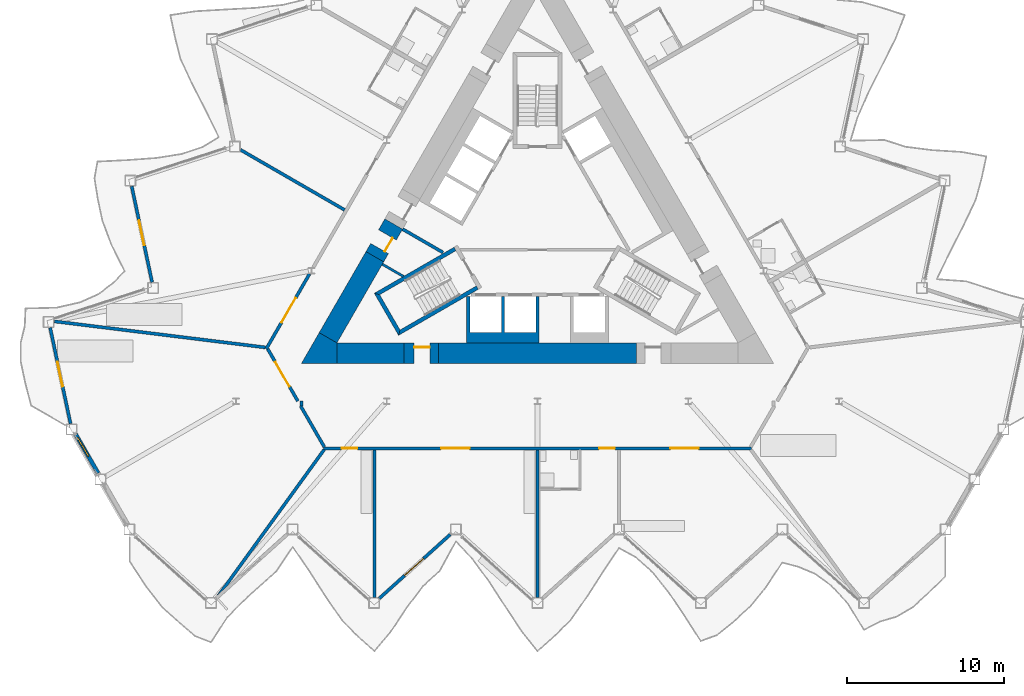
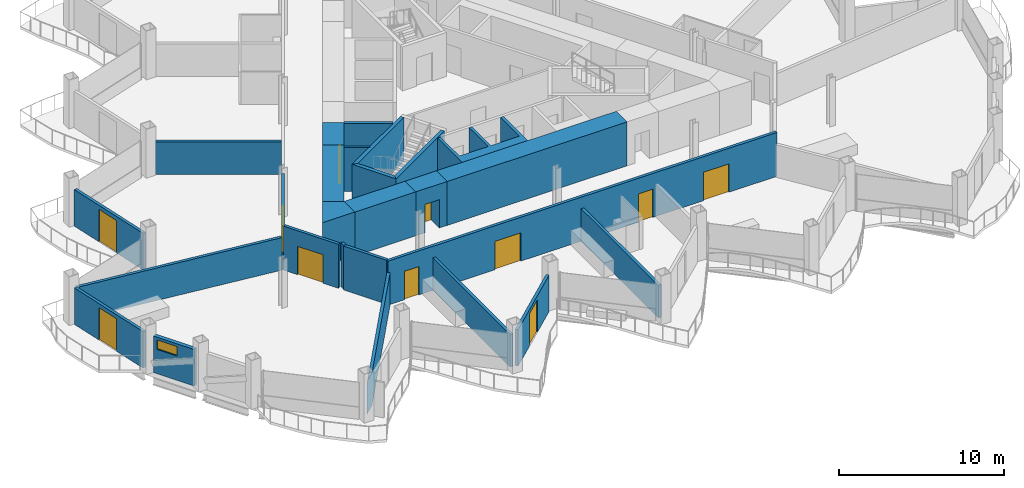
# One storey, part 11 of 24: 26 walls, 11 doors, 1 window, 12 openings.
"""IFC4 building model written with IfcOpenShell, lengths in metres."""

from ifc_helpers import new_model, si_unit, direction, frame, frame_2d, origin, place, context, subcontext, project, spatial, polyline, rectangle, outline, extrude, material, layer, layer_set, type_object, element, fill, save


model = new_model("IFC4")

# Units and contexts
model_context = context("Model", 3, precision=1e-05, world=origin(), true_north=direction((0.0, 1.0)))
body_context = subcontext(model_context, "Body", "Model", "MODEL_VIEW")
ifc_project = project(units=[si_unit("LENGTHUNIT", "METRE"), si_unit("AREAUNIT", "SQUARE_METRE"), si_unit("VOLUMEUNIT", "CUBIC_METRE"), si_unit("PLANEANGLEUNIT", "RADIAN"), si_unit("MASSUNIT", "GRAM", prefix="KILO")], contexts=[model_context])

# Site, building, storey
site_placement = place(None, origin())
site = spatial("IfcSite", under=ifc_project, at=site_placement, CompositionType="ELEMENT")
building_placement = place(site_placement, origin())
building = spatial("IfcBuilding", under=site, at=building_placement, Name="Cormorant Prow Tower", CompositionType="ELEMENT")
storey_placement = place(building_placement, frame((0.0, 0.0, 274.199951171875)))
storey = spatial("IfcBuildingStorey", under=building, at=storey_placement, Name="L62", CompositionType="ELEMENT", Elevation=274.199951171875)

# Walls
ifc_material_1 = material(Name="Gypsum board partition")
ifc_layer_1 = layer(ifc_material_1, 0.14990234375)
ifc_layer_set_1 = layer_set([ifc_layer_1], Name="Gypsum board partition")
wall_type_1 = type_object("IfcWallType", Name="Core partition 150", PredefinedType="PARTITIONING", material=ifc_layer_set_1)
wall_1_placement = place(storey_placement, frame((-9.862060546875, -2.361083984375, 0.0), z_axis=(0.0, 0.0, 1.0), x_axis=(0.865990094875, -0.500061151839, 0.0)))
element("IfcWall", 1, at=wall_1_placement, inside=storey, type_object=wall_type_1, Name="Service room partition", PredefinedType="PARTITIONING", context=body_context, shape_type="SweptSolid", body=[
    extrude(rectangle(XDim=1.559814453125, YDim=0.14990234375, at=frame_2d((0.77978515625, 0.0))), origin(), (0.0, 0.0, 1.0), 3.25),
])
ifc_material_2 = material(Name="Concrete 8000 psi", Category="concrete")
ifc_layer_2 = layer(ifc_material_2, 1.300048828125)
ifc_layer_set_2 = layer_set([ifc_layer_2], Name="Concrete 8000 psi")
wall_type_2 = type_object("IfcWallType", Name="Core shear wall 1300", PredefinedType="SHEAR", material=ifc_layer_set_2)
wall_2_placement = place(storey_placement, frame((-6.2880859375, -8.01025390625, 0.0), z_axis=(0.0, 0.0, 1.0), x_axis=(1.0, 0.0, 0.0)))
element("IfcWall", 2, at=wall_2_placement, inside=storey, type_object=wall_type_2, Name="Core wall", PredefinedType="SHEAR", context=body_context, shape_type="SweptSolid", body=[
    extrude(rectangle(XDim=12.576171875, YDim=1.300048828125, at=frame_2d((6.2880859375, 0.0))), origin(), (0.0, 0.0, 1.0), 3.25),
])
wall_3_placement = place(storey_placement, frame((-12.748291015625, -8.01025390625, 0.0), z_axis=(0.0, 0.0, 1.0), x_axis=(1.0, 0.0, 0.0)))
element("IfcWall", 3, at=wall_3_placement, inside=storey, type_object=wall_type_2, Name="Core wall", PredefinedType="SHEAR", context=body_context, shape_type="SweptSolid", body=[
    extrude(rectangle(XDim=4.260009765625, YDim=1.300048828125, at=frame_2d((2.1298828125, 0.0))), origin(), (0.0, 0.0, 1.0), 3.25),
])
wall_4_placement = place(storey_placement, frame((-10.337890625, -1.885009765625, 0.0), z_axis=(0.0, 0.0, 1.0), x_axis=(-0.499975944838, -0.866039291593, 0.0)))
element("IfcWall", 4, at=wall_4_placement, inside=storey, type_object=wall_type_2, Name="Core wall", PredefinedType="SHEAR", context=body_context, shape_type="SweptSolid", body=[
    extrude(rectangle(XDim=5.947021484375, YDim=1.300048828125, at=frame_2d((2.9736328125, 0.0))), origin(), (0.0, 0.0, 1.0), 3.25),
])
wall_5_placement = place(storey_placement, origin())
element("IfcWall", 5, at=wall_5_placement, inside=storey, type_object=wall_type_2, Name="Core wall corner", PredefinedType="SHEAR", context=body_context, shape_type="SweptSolid", body=[
    extrude(outline(polyline([(-13.874267578125, -6.710205078125), (-12.748291015625, -7.3603515625), (-12.748291015625, -8.660400390625), (-15.0, -8.660400390625), (-13.874267578125, -6.710205078125)])), origin(), (0.0, 0.0, 1.0), 3.25),
])

# Wall, opening, door
wall_6_placement = place(storey_placement, frame((-8.48828125, -8.01025390625, 0.0), z_axis=(0.0, 0.0, 1.0), x_axis=(1.0, 0.0, 0.0)))
wall_6 = element("IfcWall", 6, at=wall_6_placement, inside=storey, type_object=wall_type_2, Name="Core wall door panel", PredefinedType="SHEAR", context=body_context, shape_type="SweptSolid", body=[
    extrude(rectangle(XDim=2.2001953125, YDim=1.300048828125, at=frame_2d((1.10009765625, 0.0))), origin(), (0.0, 0.0, 1.0), 3.25),
])
opening_1_placement = place(wall_6_placement, frame((0.64990234375, 0.0, 0.0)))
opening_1 = element("IfcOpeningElement", 7, at=opening_1_placement, cuts=wall_6, Name="Opening L62-C14", PredefinedType="OPENING", context=body_context, shape_type="SweptSolid", body=[
    extrude(rectangle(XDim=1.0, YDim=2.10009765625, at=frame_2d((0.5, 1.050048828125))), frame((0.0, 0.659912109375, 0.0), z_axis=(0.0, -1.0, 0.0), x_axis=(1.0, 0.0, 0.0)), (0.0, 0.0, 1.0), 1.320068359375),
])
ifc_material_3 = material(Name="Painted steel", Category="steel")
door_type_1 = type_object("IfcDoorType", Name="Service door 1000x2100", OperationType="NOTDEFINED", PredefinedType="DOOR", material=ifc_material_3)
door_1_placement = place(opening_1_placement, origin())
door_1 = element("IfcDoor", 8, at=door_1_placement, inside=storey, type_object=door_type_1, Name="Core door, Pantry store", OperationType="SINGLE_SWING_LEFT", OverallHeight=2.10009765625, OverallWidth=1.0, PredefinedType="DOOR", context=body_context, shape_type="SweptSolid", body=[
    extrude(rectangle(XDim=1.0, YDim=2.10009765625, at=frame_2d((0.5, 1.050048828125))), frame((0.0, 0.40478515625, 0.0), z_axis=(0.0, -1.0, 0.0), x_axis=(1.0, 0.0, 0.0)), (0.0, 0.0, 1.0), 0.050048828125),
])
fill(opening_1, door_1)

wall_7_placement = place(storey_placement, frame((-9.13720703125, 0.194580078125, 0.0), z_axis=(0.0, 0.0, 1.0), x_axis=(-0.500009943768, -0.866019662671, 0.0)))
wall_7 = element("IfcWall", 9, at=wall_7_placement, inside=storey, type_object=wall_type_2, Name="Core wall door panel", PredefinedType="SHEAR", context=body_context, shape_type="SweptSolid", body=[
    extrude(rectangle(XDim=2.4013671875, YDim=1.300048828125, at=frame_2d((1.20068359375, 0.0))), origin(), (0.0, 0.0, 1.0), 3.25),
])
opening_2_placement = place(wall_7_placement, frame((0.800048828125, 0.0, 0.0)))
opening_2 = element("IfcOpeningElement", 10, at=opening_2_placement, cuts=wall_7, Name="Opening L62-C16", PredefinedType="OPENING", context=body_context, shape_type="SweptSolid", body=[
    extrude(rectangle(XDim=1.0, YDim=2.10009765625, at=frame_2d((0.5, 1.050048828125))), frame((0.0, 0.659912109375, 0.0), z_axis=(0.0, -1.0, 0.0), x_axis=(1.0, 0.0, 0.0)), (0.0, 0.0, 1.0), 1.320068359375),
])
door_2_placement = place(opening_2_placement, origin())
door_2 = element("IfcDoor", 11, at=door_2_placement, inside=storey, type_object=door_type_1, Name="Core door, Mechanical riser room", OperationType="SINGLE_SWING_LEFT", OverallHeight=2.10009765625, OverallWidth=1.0, PredefinedType="DOOR", context=body_context, shape_type="SweptSolid", body=[
    extrude(rectangle(XDim=1.0, YDim=2.10009765625, at=frame_2d((0.5, 1.050048828125))), frame((0.0, 0.40478515625, 0.0), z_axis=(0.0, -1.0, 0.0), x_axis=(1.0, 0.0, 0.0)), (0.0, 0.0, 1.0), 0.050048828125),
])
fill(opening_2, door_2)

# Wall, openings, doors
ifc_material_4 = material(Name="Gypsum board corridor wall")
ifc_layer_3 = layer(ifc_material_4, 0.199951171875)
ifc_layer_set_3 = layer_set([ifc_layer_3], Name="Gypsum board corridor wall")
wall_type_3 = type_object("IfcWallType", Name="Corridor wall 200", PredefinedType="PARTITIONING", material=ifc_layer_set_3)
wall_8_placement = place(storey_placement, frame((-13.598876953125, -14.060302734375, 0.0), z_axis=(0.0, 0.0, 1.0), x_axis=(1.0, 0.0, 0.0)))
wall_8 = element("IfcWall", 12, at=wall_8_placement, inside=storey, type_object=wall_type_3, Name="Corridor wall", PredefinedType="PARTITIONING", context=body_context, shape_type="SweptSolid", body=[
    extrude(rectangle(XDim=27.19775390625, YDim=0.199951171875, at=frame_2d((13.598876953125, 0.0))), origin(), (0.0, 0.0, 1.0), 3.25),
])
opening_3_placement = place(wall_8_placement, frame((1.1533203125, 0.0, 0.0)))
opening_3 = element("IfcOpeningElement", 13, at=opening_3_placement, cuts=wall_8, Name="Opening L62-F01", PredefinedType="OPENING", context=body_context, shape_type="SweptSolid", body=[
    extrude(rectangle(XDim=1.0, YDim=2.10009765625, at=frame_2d((0.5, 1.050048828125))), frame((0.0, 0.10986328125, 0.0), z_axis=(0.0, -1.0, 0.0), x_axis=(1.0, 0.0, 0.0)), (0.0, 0.0, 1.0), 0.219970703125),
])
opening_4_placement = place(wall_8_placement, frame((7.478271484375, 0.0, 0.0)))
opening_4 = element("IfcOpeningElement", 14, at=opening_4_placement, cuts=wall_8, Name="Opening L62-F02", PredefinedType="OPENING", context=body_context, shape_type="SweptSolid", body=[
    extrude(rectangle(XDim=1.800048828125, YDim=2.10009765625, at=frame_2d((0.89990234375, 1.050048828125))), frame((0.0, 0.10986328125, 0.0), z_axis=(0.0, -1.0, 0.0), x_axis=(1.0, 0.0, 0.0)), (0.0, 0.0, 1.0), 0.219970703125),
])
opening_5_placement = place(wall_8_placement, frame((17.515625, 0.0, 0.0)))
opening_5 = element("IfcOpeningElement", 15, at=opening_5_placement, cuts=wall_8, Name="Opening L62-F03", PredefinedType="OPENING", context=body_context, shape_type="SweptSolid", body=[
    extrude(rectangle(XDim=1.0, YDim=2.10009765625, at=frame_2d((0.5, 1.050048828125))), frame((0.0, 0.10986328125, 0.0), z_axis=(0.0, -1.0, 0.0), x_axis=(1.0, 0.0, 0.0)), (0.0, 0.0, 1.0), 0.219970703125),
])
opening_6_placement = place(wall_8_placement, frame((22.03564453125, 0.0, 0.0)))
opening_6 = element("IfcOpeningElement", 16, at=opening_6_placement, cuts=wall_8, Name="Opening L62-F05", PredefinedType="OPENING", context=body_context, shape_type="SweptSolid", body=[
    extrude(rectangle(XDim=1.800048828125, YDim=2.10009765625, at=frame_2d((0.89990234375, 1.050048828125))), frame((0.0, 0.10986328125, 0.0), z_axis=(0.0, -1.0, 0.0), x_axis=(1.0, 0.0, 0.0)), (0.0, 0.0, 1.0), 0.219970703125),
])
ifc_material_5 = material(Name="Timber door leaf", Category="wood")
door_type_2 = type_object("IfcDoorType", Name="Double door 1800x2100", OperationType="DOUBLE_DOOR_SINGLE_SWING", PredefinedType="DOOR", material=ifc_material_5)
door_3_placement = place(opening_4_placement, origin())
door_3 = element("IfcDoor", 17, at=door_3_placement, inside=storey, type_object=door_type_2, Name="Conference room door", OperationType="DOUBLE_DOOR_SINGLE_SWING", OverallHeight=2.10009765625, OverallWidth=1.800048828125, PredefinedType="DOOR", context=body_context, shape_type="SweptSolid", body=[
    extrude(rectangle(XDim=1.800048828125, YDim=2.10009765625, at=frame_2d((0.89990234375, 1.050048828125))), frame((0.0, 0.02490234375, 0.0), z_axis=(0.0, -1.0, 0.0), x_axis=(1.0, 0.0, 0.0)), (0.0, 0.0, 1.0), 0.050048828125),
])
fill(opening_4, door_3)
door_4_placement = place(opening_6_placement, origin())
door_4 = element("IfcDoor", 18, at=door_4_placement, inside=storey, type_object=door_type_2, Name="Board room door", OperationType="DOUBLE_DOOR_SINGLE_SWING", OverallHeight=2.10009765625, OverallWidth=1.800048828125, PredefinedType="DOOR", context=body_context, shape_type="SweptSolid", body=[
    extrude(rectangle(XDim=1.800048828125, YDim=2.10009765625, at=frame_2d((0.89990234375, 1.050048828125))), frame((0.0, 0.02490234375, 0.0), z_axis=(0.0, -1.0, 0.0), x_axis=(1.0, 0.0, 0.0)), (0.0, 0.0, 1.0), 0.050048828125),
])
fill(opening_6, door_4)
ifc_material_6 = material(Name="Timber door leaf", Category="wood")
door_type_3 = type_object("IfcDoorType", Name="Flat or room entrance door 1000x2100", OperationType="NOTDEFINED", PredefinedType="DOOR", material=ifc_material_6)
door_5_placement = place(opening_3_placement, origin())
door_5 = element("IfcDoor", 19, at=door_5_placement, inside=storey, type_object=door_type_3, Name="Meeting room door", OperationType="SINGLE_SWING_RIGHT", OverallHeight=2.10009765625, OverallWidth=1.0, PredefinedType="DOOR", context=body_context, shape_type="SweptSolid", body=[
    extrude(rectangle(XDim=1.0, YDim=2.10009765625, at=frame_2d((0.5, 1.050048828125))), frame((0.0, 0.02490234375, 0.0), z_axis=(0.0, -1.0, 0.0), x_axis=(1.0, 0.0, 0.0)), (0.0, 0.0, 1.0), 0.050048828125),
])
fill(opening_3, door_5)
door_6_placement = place(opening_5_placement, origin())
door_6 = element("IfcDoor", 20, at=door_6_placement, inside=storey, type_object=door_type_3, Name="Guest room door", OperationType="SINGLE_SWING_RIGHT", OverallHeight=2.10009765625, OverallWidth=1.0, PredefinedType="DOOR", context=body_context, shape_type="SweptSolid", body=[
    extrude(rectangle(XDim=1.0, YDim=2.10009765625, at=frame_2d((0.5, 1.050048828125))), frame((0.0, 0.02490234375, 0.0), z_axis=(0.0, -1.0, 0.0), x_axis=(1.0, 0.0, 0.0)), (0.0, 0.0, 1.0), 0.050048828125),
])
fill(opening_5, door_6)

# Wall, opening, door
wall_9_placement = place(storey_placement, frame((-17.243896484375, -7.746826171875, 0.0), z_axis=(0.0, 0.0, 1.0), x_axis=(0.500017753321, 0.866015153657, 0.0)))
wall_9 = element("IfcWall", 21, at=wall_9_placement, inside=storey, type_object=wall_type_3, Name="Corridor wall", PredefinedType="PARTITIONING", context=body_context, shape_type="SweptSolid", body=[
    extrude(rectangle(XDim=5.510498046875, YDim=0.199951171875, at=frame_2d((2.75537109375, 0.0))), origin(), (0.0, 0.0, 1.0), 3.25),
])
opening_7_placement = place(wall_9_placement, frame((1.95556640625, 0.0, 0.0)))
opening_7 = element("IfcOpeningElement", 22, at=opening_7_placement, cuts=wall_9, Name="Opening L62-F19", PredefinedType="OPENING", context=body_context, shape_type="SweptSolid", body=[
    extrude(rectangle(XDim=1.800048828125, YDim=2.10009765625, at=frame_2d((0.89990234375, 1.050048828125))), frame((0.0, 0.10986328125, 0.0), z_axis=(0.0, -1.0, 0.0), x_axis=(1.0, 0.0, 0.0)), (0.0, 0.0, 1.0), 0.219970703125),
])
door_7_placement = place(opening_7_placement, origin())
door_7 = element("IfcDoor", 23, at=door_7_placement, inside=storey, type_object=door_type_2, Name="Library door", OperationType="DOUBLE_DOOR_SINGLE_SWING", OverallHeight=2.10009765625, OverallWidth=1.800048828125, PredefinedType="DOOR", context=body_context, shape_type="SweptSolid", body=[
    extrude(rectangle(XDim=1.800048828125, YDim=2.10009765625, at=frame_2d((0.89990234375, 1.050048828125))), frame((0.0, 0.02490234375, 0.0), z_axis=(0.0, -1.0, 0.0), x_axis=(1.0, 0.0, 0.0)), (0.0, 0.0, 1.0), 0.050048828125),
])
fill(opening_7, door_7)

wall_10_placement = place(storey_placement, frame((-17.143798828125, -7.746826171875, 0.0), z_axis=(0.0, 0.0, 1.0), x_axis=(0.499961815444, -0.866047448526, 0.0)))
wall_10 = element("IfcWall", 24, at=wall_10_placement, inside=storey, type_object=wall_type_3, Name="Corridor wall", PredefinedType="PARTITIONING", context=body_context, shape_type="SweptSolid", body=[
    extrude(rectangle(XDim=3.825927734375, YDim=0.199951171875, at=frame_2d((1.9130859375, 0.0))), origin(), (0.0, 0.0, 1.0), 3.25),
])
opening_8_placement = place(wall_10_placement, frame((0.962158203125, 0.0, 0.0)))
opening_8 = element("IfcOpeningElement", 25, at=opening_8_placement, cuts=wall_10, Name="Opening L62-F20", PredefinedType="OPENING", context=body_context, shape_type="SweptSolid", body=[
    extrude(rectangle(XDim=1.800048828125, YDim=2.10009765625, at=frame_2d((0.89990234375, 1.050048828125))), frame((0.0, 0.10986328125, 0.0), z_axis=(0.0, -1.0, 0.0), x_axis=(1.0, 0.0, 0.0)), (0.0, 0.0, 1.0), 0.219970703125),
])
door_8_placement = place(opening_8_placement, origin())
door_8 = element("IfcDoor", 26, at=door_8_placement, inside=storey, type_object=door_type_2, Name="Co-working space door", OperationType="DOUBLE_DOOR_SINGLE_SWING", OverallHeight=2.10009765625, OverallWidth=1.800048828125, PredefinedType="DOOR", context=body_context, shape_type="SweptSolid", body=[
    extrude(rectangle(XDim=1.800048828125, YDim=2.10009765625, at=frame_2d((0.89990234375, 1.050048828125))), frame((0.0, 0.02490234375, 0.0), z_axis=(0.0, -1.0, 0.0), x_axis=(1.0, 0.0, 0.0)), (0.0, 0.0, 1.0), 0.050048828125),
])
fill(opening_8, door_8)

# Walls
wall_11_placement = place(storey_placement, frame((-15.050048828125, -11.373779296875, 0.0), z_axis=(0.0, 0.0, 1.0), x_axis=(0.500048608389, -0.865997337899, 0.0)))
element("IfcWall", 27, at=wall_11_placement, inside=storey, type_object=wall_type_3, Name="Corridor wall", PredefinedType="PARTITIONING", context=body_context, shape_type="SweptSolid", body=[
    extrude(rectangle(XDim=3.002197265625, YDim=0.199951171875, at=frame_2d((1.5009765625, 0.0))), origin(), (0.0, 0.0, 1.0), 3.25),
])
wall_12_placement = place(storey_placement, frame((-15.0, -11.3603515625, 0.0), z_axis=(0.0, 0.0, 1.0), x_axis=(0.0, 1.0, 0.0)))
element("IfcWall", 28, at=wall_12_placement, inside=storey, type_object=wall_type_3, Name="Corridor wall", PredefinedType="PARTITIONING", context=body_context, shape_type="SweptSolid", body=[
    extrude(rectangle(XDim=0.31005859375, YDim=0.199951171875, at=frame_2d((0.155029296875, 0.0))), origin(), (0.0, 0.0, 1.0), 3.25),
])
ifc_material_7 = material(Name="Gypsum board demising wall")
ifc_layer_4 = layer(ifc_material_7, 0.199951171875)
ifc_layer_set_4 = layer_set([ifc_layer_4], Name="Gypsum board demising wall")
wall_type_4 = type_object("IfcWallType", Name="Demising wall 200", PredefinedType="PARTITIONING", material=ifc_layer_set_4)
wall_13_placement = place(storey_placement, frame((-30.703125, -5.9921875, 0.0), z_axis=(0.0, 0.0, 1.0), x_axis=(0.992463280008, -0.122542391993, 0.0)))
element("IfcWall", 29, at=wall_13_placement, inside=storey, type_object=wall_type_4, Name="Demising wall", PredefinedType="PARTITIONING", context=body_context, shape_type="SweptSolid", body=[
    extrude(rectangle(XDim=13.51171875, YDim=0.199951171875, at=frame_2d((6.755859375, 0.0))), origin(), (0.0, 0.0, 1.0), 2.404296875),
])
wall_14_placement = place(storey_placement, origin())
element("IfcWall", 30, at=wall_14_placement, inside=storey, type_object=wall_type_4, Name="Demising wall", PredefinedType="PARTITIONING", context=body_context, shape_type="SweptSolid", body=[
    extrude(outline(polyline([(-13.476318359375, -14.199951171875), (-19.722900390625, -22.82958984375), (-20.431884765625, -23.468017578125), (-13.638427734375, -14.08251953125), (-13.476318359375, -14.199951171875)])), origin(), (0.0, 0.0, 1.0), 2.404296875),
])
for number, where, z_axis, x_axis, name in (
    (31, (-10.370361328125, -23.52685546875, 0.0), (0.0, 0.0, 1.0), (0.0, 1.0, 0.0), "Demising wall"),
    (32, (0.0, -23.52685546875, 0.0), (0.0, 0.0, 1.0), (0.0, 1.0, 0.0), "Demising wall"),
):
    element("IfcWall", number, at=place(storey_placement, frame(where, z_axis=z_axis, x_axis=x_axis)), inside=storey, type_object=wall_type_4, Name=name, PredefinedType="PARTITIONING", context=body_context, shape_type="SweptSolid", body=[
        extrude(rectangle(XDim=9.366455078125, YDim=0.199951171875, at=frame_2d((4.68310546875, 0.0))), origin(), (0.0, 0.0, 1.0), 2.404296875),
    ])
wall_15_placement = place(storey_placement, frame((-18.875, 4.91015625, 0.0), z_axis=(0.0, 0.0, 1.0), x_axis=(0.866018509426, -0.50001194119, 0.0)))
element("IfcWall", 33, at=wall_15_placement, inside=storey, type_object=wall_type_4, Name="Demising wall", PredefinedType="PARTITIONING", context=body_context, shape_type="SweptSolid", body=[
    extrude(rectangle(XDim=7.640869140625, YDim=0.199951171875, at=frame_2d((3.8203125, 0.0))), origin(), (0.0, 0.0, 1.0), 2.404296875),
])
ifc_material_8 = material(Name="Concrete 8000 psi", Category="concrete")
ifc_layer_5 = layer(ifc_material_8, 0.199951171875)
ifc_layer_set_5 = layer_set([ifc_layer_5], Name="Concrete 8000 psi")
wall_type_5 = type_object("IfcWallType", Name="Lift shaft wall 200", PredefinedType="SHEAR", material=ifc_layer_set_5)
wall_16_placement = place(storey_placement, origin())
element("IfcWall", 34, at=wall_16_placement, inside=storey, type_object=wall_type_5, Name="Lift shaft walls, S block", PredefinedType="SHEAR", context=body_context, shape_type="SweptSolid", body=[
    extrude(outline(polyline([(0.10009765625, -7.3603515625), (-4.5, -7.3603515625), (-4.5, -4.39990234375), (-4.300048828125, -4.39990234375), (-4.300048828125, -6.699951171875), (-2.300048828125, -6.699951171875), (-2.300048828125, -4.39990234375), (-2.10009765625, -4.39990234375), (-2.10009765625, -6.699951171875), (-0.10009765625, -6.699951171875), (-0.10009765625, -4.39990234375), (0.10009765625, -4.39990234375), (0.10009765625, -7.3603515625)])), origin(), (0.0, 0.0, 1.0), 3.25),
])
wall_17_placement = place(storey_placement, origin())
element("IfcWall", 35, at=wall_17_placement, inside=storey, type_object=wall_type_5, Name="Lift shaft walls, WNW block", PredefinedType="SHEAR", context=body_context, shape_type="SweptSolid", body=[
    extrude(outline(polyline([(-8.524169921875, -0.043701171875), (-8.130859375, -0.27099609375), (-5.96044921875, -1.52392578125), (-6.060546875, -1.697021484375), (-8.230712890625, -0.444091796875), (-8.624267578125, -0.217041015625), (-8.524169921875, -0.043701171875)])), origin(), (0.0, 0.0, 1.0), 3.25),
])
ifc_material_9 = material(Name="Concrete 8000 psi", Category="concrete")
ifc_layer_6 = layer(ifc_material_9, 0.25)
ifc_layer_set_6 = layer_set([ifc_layer_6], Name="Concrete 8000 psi")
wall_type_6 = type_object("IfcWallType", Name="Stair wall 250", PredefinedType="SHEAR", material=ifc_layer_set_6)
wall_18_placement = place(storey_placement, origin())
element("IfcWall", 36, at=wall_18_placement, inside=storey, type_object=wall_type_6, Name="Stair ST1 enclosure wall (flank)", PredefinedType="SHEAR", context=body_context, shape_type="SweptSolid", body=[
    extrude(outline(polyline([(-5.30712890625, -1.28125), (-10.37353515625, -4.206298828125), (-10.031982421875, -4.2978515625), (-5.18212890625, -1.497802734375), (-5.30712890625, -1.28125)])), origin(), (0.0, 0.0, 1.0), 3.25),
])
wall_19_placement = place(storey_placement, origin())
element("IfcWall", 37, at=wall_19_placement, inside=storey, type_object=wall_type_6, Name="Stair ST1 enclosure wall (end)", PredefinedType="SHEAR", context=body_context, shape_type="SweptSolid", body=[
    extrude(outline(polyline([(-10.37353515625, -4.206298828125), (-8.82958984375, -6.880615234375), (-8.738037109375, -6.5390625), (-10.031982421875, -4.2978515625), (-10.37353515625, -4.206298828125)])), origin(), (0.0, 0.0, 1.0), 3.25),
])
wall_20_placement = place(storey_placement, origin())
element("IfcWall", 38, at=wall_20_placement, inside=storey, type_object=wall_type_6, Name="Stair ST1 enclosure wall (flank)", PredefinedType="SHEAR", context=body_context, shape_type="SweptSolid", body=[
    extrude(outline(polyline([(-8.738037109375, -6.5390625), (-8.82958984375, -6.880615234375), (-3.76318359375, -3.95556640625), (-3.88818359375, -3.739013671875), (-8.738037109375, -6.5390625)])), origin(), (0.0, 0.0, 1.0), 3.25),
])

# Wall, opening, window
ifc_material_10 = material(Name="Terracotta", Category="masonry")
ifc_layer_7 = layer(ifc_material_10, 0.25)
ifc_layer_set_7 = layer_set([ifc_layer_7], Name="Terracotta")
wall_type_7 = type_object("IfcWallType", Name="Terracotta bay wall 250", PredefinedType="SOLIDWALL", material=ifc_layer_set_7)
wall_21_placement = place(storey_placement, frame((-29.35888671875, -13.150634765625, 0.0), z_axis=(0.0, 0.0, 1.0), x_axis=(0.499989935246, -0.866031214595, 0.0)))
wall_21 = element("IfcWall", 39, at=wall_21_placement, inside=storey, type_object=wall_type_7, Name="Terracotta bay wall WSW00", PredefinedType="SOLIDWALL", context=body_context, shape_type="SweptSolid", body=[
    extrude(rectangle(XDim=2.87060546875, YDim=0.25, at=frame_2d((1.435302734375, 0.0))), origin(), (0.0, 0.0, 1.0), 2.700927734375),
])
opening_9_placement = place(wall_21_placement, frame((0.25, 0.0, 1.800048828125)))
opening_9 = element("IfcOpeningElement", 40, at=opening_9_placement, cuts=wall_21, Name="Opening WN4", PredefinedType="OPENING", context=body_context, shape_type="SweptSolid", body=[
    extrude(rectangle(XDim=1.39990234375, YDim=0.699951171875, at=frame_2d((0.699951171875, 0.35009765625))), frame((0.0, 0.135009765625, 0.0), z_axis=(0.0, -1.0, 0.0), x_axis=(1.0, 0.0, 0.0)), (0.0, 0.0, 1.0), 0.27001953125),
])
ifc_material_11 = material(Name="Aluminium 6063-T6", Category="aluminium")
window_type = type_object("IfcWindowType", Name="Corner bay window 1400x700", PartitioningType="SINGLE_PANEL", PredefinedType="WINDOW", material=ifc_material_11)
window_placement = place(opening_9_placement, origin())
window = element("IfcWindow", 41, at=window_placement, inside=storey, type_object=window_type, Name="Corner bay window WSW00", OverallHeight=0.699951171875, OverallWidth=1.39990234375, PartitioningType="SINGLE_PANEL", PredefinedType="WINDOW", context=body_context, shape_type="SweptSolid", body=[
    extrude(rectangle(XDim=1.39990234375, YDim=0.699951171875, at=frame_2d((0.699951171875, 0.35009765625))), frame((0.0, 0.030029296875, 0.0), z_axis=(0.0, -1.0, 0.0), x_axis=(1.0, 0.0, 0.0)), (0.0, 0.0, 1.0), 0.06005859375),
])
fill(opening_9, window)

# Wall, opening, door
ifc_material_12 = material(Name="Terracotta", Category="masonry")
ifc_layer_8 = layer(ifc_material_12, 0.199951171875)
ifc_layer_set_8 = layer_set([ifc_layer_8], Name="Terracotta")
wall_type_8 = type_object("IfcWallType", Name="Terracotta jamb wall 200", PredefinedType="SOLIDWALL", material=ifc_layer_set_8)
wall_22_placement = place(storey_placement, frame((-10.06494140625, -23.605712890625, 0.0), z_axis=(0.0, 0.0, 1.0), x_axis=(0.743144443869, 0.669131030178, 0.0)))
wall_22 = element("IfcWall", 42, at=wall_22_placement, inside=storey, type_object=wall_type_8, Name="Terracotta jamb wall S03", PredefinedType="SOLIDWALL", context=body_context, shape_type="SweptSolid", body=[
    extrude(rectangle(XDim=6.08251953125, YDim=0.199951171875, at=frame_2d((3.041259765625, 0.0))), origin(), (0.0, 0.0, 1.0), 2.700927734375),
])
opening_10_placement = place(wall_22_placement, frame((2.187744140625, 0.0, 0.0)))
opening_10 = element("IfcOpeningElement", 43, at=opening_10_placement, cuts=wall_22, Name="Opening ED62.02", PredefinedType="OPENING", context=body_context, shape_type="SweptSolid", body=[
    extrude(rectangle(XDim=1.60009765625, YDim=2.39990234375, at=frame_2d((0.800048828125, 1.199951171875))), frame((0.0, 0.10986328125, 0.0), z_axis=(0.0, -1.0, 0.0), x_axis=(1.0, 0.0, 0.0)), (0.0, 0.0, 1.0), 0.219970703125),
])
ifc_material_13 = material(Name="Aluminium 6063-T6", Category="aluminium")
door_type_4 = type_object("IfcDoorType", Name="Balcony door 1600x2400", OperationType="DOUBLE_DOOR_SINGLE_SWING", PredefinedType="DOOR", material=ifc_material_13)
door_9_placement = place(opening_10_placement, origin())
door_9 = element("IfcDoor", 44, at=door_9_placement, inside=storey, type_object=door_type_4, Name="Balcony door S03 ED62.02", OperationType="DOUBLE_DOOR_SINGLE_SWING", OverallHeight=2.39990234375, OverallWidth=1.60009765625, PredefinedType="DOOR", context=body_context, shape_type="SweptSolid", body=[
    extrude(rectangle(XDim=1.60009765625, YDim=2.39990234375, at=frame_2d((0.800048828125, 1.199951171875))), frame((0.0, 0.02490234375, 0.0), z_axis=(0.0, -1.0, 0.0), x_axis=(1.0, 0.0, 0.0)), (0.0, 0.0, 1.0), 0.050048828125),
])
fill(opening_10, door_9)

wall_23_placement = place(storey_placement, frame((-25.7880859375, 2.590576171875, 0.0), z_axis=(0.0, 0.0, 1.0), x_axis=(0.207907484076, -0.978148494895, 0.0)))
wall_23 = element("IfcWall", 45, at=wall_23_placement, inside=storey, type_object=wall_type_8, Name="Terracotta jamb wall WNW07", PredefinedType="SOLIDWALL", context=body_context, shape_type="SweptSolid", body=[
    extrude(rectangle(XDim=6.23193359375, YDim=0.199951171875, at=frame_2d((3.115966796875, 0.0))), origin(), (0.0, 0.0, 1.0), 2.700927734375),
])
opening_11_placement = place(wall_23_placement, frame((2.2216796875, 0.0, 0.0)))
opening_11 = element("IfcOpeningElement", 46, at=opening_11_placement, cuts=wall_23, Name="Opening ED62.14", PredefinedType="OPENING", context=body_context, shape_type="SweptSolid", body=[
    extrude(rectangle(XDim=1.60009765625, YDim=2.39990234375, at=frame_2d((0.800048828125, 1.199951171875))), frame((0.0, 0.10986328125, 0.0), z_axis=(0.0, -1.0, 0.0), x_axis=(1.0, 0.0, 0.0)), (0.0, 0.0, 1.0), 0.219970703125),
])
door_10_placement = place(opening_11_placement, origin())
door_10 = element("IfcDoor", 47, at=door_10_placement, inside=storey, type_object=door_type_4, Name="Balcony door WNW07 ED62.14", OperationType="DOUBLE_DOOR_SINGLE_SWING", OverallHeight=2.39990234375, OverallWidth=1.60009765625, PredefinedType="DOOR", context=body_context, shape_type="SweptSolid", body=[
    extrude(rectangle(XDim=1.60009765625, YDim=2.39990234375, at=frame_2d((0.800048828125, 1.199951171875))), frame((0.0, 0.02490234375, 0.0), z_axis=(0.0, -1.0, 0.0), x_axis=(1.0, 0.0, 0.0)), (0.0, 0.0, 1.0), 0.050048828125),
])
fill(opening_11, door_10)

wall_24_placement = place(storey_placement, frame((-30.97216796875, -6.395751953125, 0.0), z_axis=(0.0, 0.0, 1.0), x_axis=(0.207907484076, -0.978148494895, 0.0)))
wall_24 = element("IfcWall", 48, at=wall_24_placement, inside=storey, type_object=wall_type_8, Name="Terracotta jamb wall WNW09", PredefinedType="SOLIDWALL", context=body_context, shape_type="SweptSolid", body=[
    extrude(rectangle(XDim=6.23193359375, YDim=0.199951171875, at=frame_2d((3.115966796875, 0.0))), origin(), (0.0, 0.0, 1.0), 2.700927734375),
])
opening_12_placement = place(wall_24_placement, frame((2.21630859375, 0.0, 0.0)))
opening_12 = element("IfcOpeningElement", 49, at=opening_12_placement, cuts=wall_24, Name="Opening ED62.15", PredefinedType="OPENING", context=body_context, shape_type="SweptSolid", body=[
    extrude(rectangle(XDim=1.60009765625, YDim=2.39990234375, at=frame_2d((0.800048828125, 1.199951171875))), frame((0.0, 0.10986328125, 0.0), z_axis=(0.0, -1.0, 0.0), x_axis=(1.0, 0.0, 0.0)), (0.0, 0.0, 1.0), 0.219970703125),
])
door_11_placement = place(opening_12_placement, origin())
door_11 = element("IfcDoor", 50, at=door_11_placement, inside=storey, type_object=door_type_4, Name="Balcony door WNW09 ED62.15", OperationType="DOUBLE_DOOR_SINGLE_SWING", OverallHeight=2.39990234375, OverallWidth=1.60009765625, PredefinedType="DOOR", context=body_context, shape_type="SweptSolid", body=[
    extrude(rectangle(XDim=1.60009765625, YDim=2.39990234375, at=frame_2d((0.800048828125, 1.199951171875))), frame((0.0, 0.02490234375, 0.0), z_axis=(0.0, -1.0, 0.0), x_axis=(1.0, 0.0, 0.0)), (0.0, 0.0, 1.0), 0.050048828125),
])
fill(opening_12, door_11)

save(model, "model.ifc")
